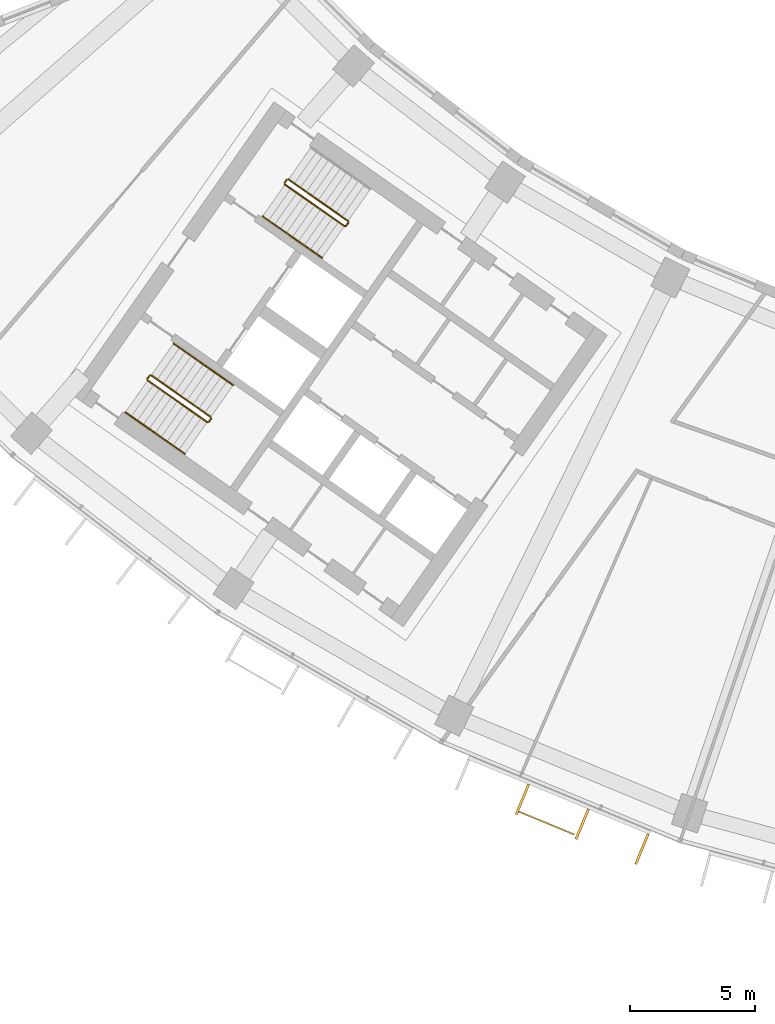
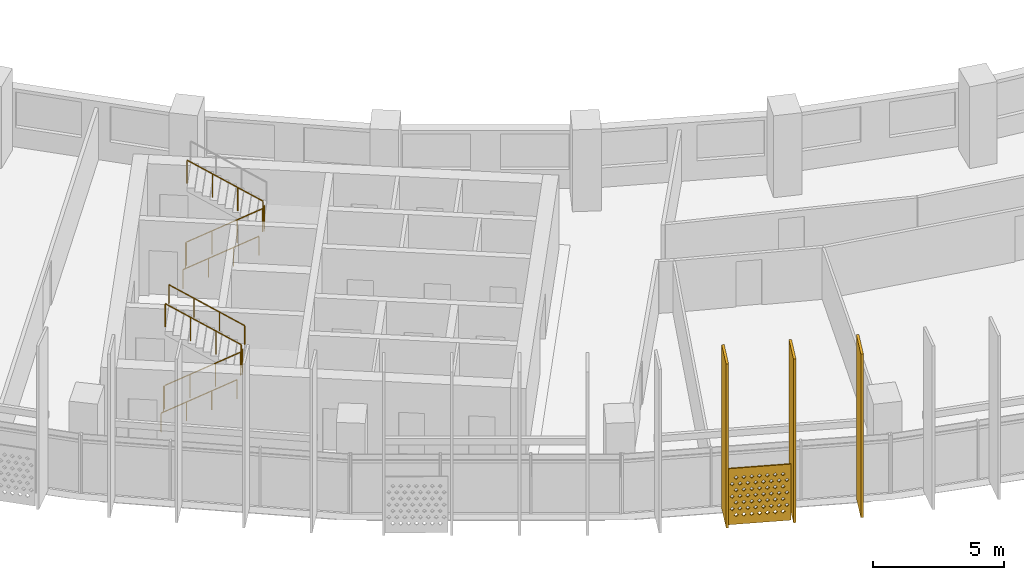
# One storey, part 22 of 27: 9 railings, 4 shading devices.
"""IFC4 building model written with IfcOpenShell, lengths in metres."""

import ifcopenshell
import ifcopenshell.guid

model = None  # the IFC model being written
_history = None  # IfcOwnerHistory: only IFC2X3 demands one
_inside = {}  # id of a spatial element -> (the spatial element, [elements in it])
_under = {}  # id of a project, library or spatial element -> (it, [spatial elements below it])
_declared = {}  # id of a project -> (the project, [libraries it declares])
_typed = {}  # id of a type object -> (the type object, [elements of that type])
_made_of = {}  # id of a material, layer set ... -> (it, [elements and type objects made of it])


def new_model(schema):
    """Start an empty IFC model of exactly this schema.

    Asked for "IFC4X3", IfcOpenShell would pick the latest addendum, in which some entities
    have other attributes; the version numbers below select the first issue.
    IFC2X3 requires an IfcOwnerHistory on every rooted entity: one is made here for all.
    """
    global model, _history
    if schema == "IFC4X3":
        model = ifcopenshell.file(schema_version=(4, 3, 0, 0))
    else:
        model = ifcopenshell.file(schema=schema)
    _inside.clear()
    _under.clear()
    _declared.clear()
    _typed.clear()
    _made_of.clear()
    _history = None
    if model.schema == "IFC2X3":
        org = make("IfcOrganization", Name="unknown")
        user = make(
            "IfcPersonAndOrganization",
            ThePerson=make("IfcPerson", FamilyName="unknown"),
            TheOrganization=org,
        )
        app = make(
            "IfcApplication",
            ApplicationDeveloper=org,
            Version="unknown",
            ApplicationFullName="unknown",
            ApplicationIdentifier="unknown",
        )
        _history = make(
            "IfcOwnerHistory",
            OwningUser=user,
            OwningApplication=app,
            ChangeAction="ADDED",
            CreationDate=0,
        )
    return model


def make(cls, **values):
    """One entity of the class cls with the attributes given. An attribute that is None is left unset."""
    return model.create_entity(
        cls, **{name: value for name, value in values.items() if value is not None}
    )


def rooted(cls, **values):
    """An entity with a GlobalId (a new one), such as an element, a storey or a relation."""
    return make(cls, GlobalId=ifcopenshell.guid.new(), OwnerHistory=_history, **values)


def si_unit(unit_type, name, prefix=None):
    """IfcSIUnit, for example si_unit("LENGTHUNIT", "METRE", prefix="MILLI")."""
    return make("IfcSIUnit", UnitType=unit_type, Prefix=prefix, Name=name)


def assignment(units):
    """IfcUnitAssignment: the units of a project."""
    return None if units is None else make("IfcUnitAssignment", Units=units)


def point(xyz):
    """IfcCartesianPoint."""
    return None if xyz is None else make("IfcCartesianPoint", Coordinates=xyz)


def direction(xyz):
    """IfcDirection."""
    return None if xyz is None else make("IfcDirection", DirectionRatios=xyz)


def frame(location, z_axis=None, x_axis=None):
    """IfcAxis2Placement3D, a coordinate frame: its origin and axes. An axis left out is left unset."""
    return make(
        "IfcAxis2Placement3D",
        Location=point(location),
        Axis=direction(z_axis),
        RefDirection=direction(x_axis),
    )


def frame_2d(location, x_axis=None):
    """IfcAxis2Placement2D, a coordinate frame in the plane: its origin and x axis."""
    return make(
        "IfcAxis2Placement2D", Location=point(location), RefDirection=direction(x_axis)
    )


def origin():
    """The frame at (0, 0, 0) with its axes left unset."""
    return frame((0.0, 0.0, 0.0))


def origin_2d():
    """The frame at (0, 0) in the plane with its x axis left unset."""
    return frame_2d((0.0, 0.0))


def place(relative_to, where):
    """IfcLocalPlacement: puts the frame where relative to a parent placement (None: the world)."""
    return make(
        "IfcLocalPlacement", PlacementRelTo=relative_to, RelativePlacement=where
    )


def context(
    kind, dimensions, precision=None, world=None, true_north=None, identifier=None
):
    """IfcGeometricRepresentationContext, for example the 3D "Model" context."""
    return make(
        "IfcGeometricRepresentationContext",
        ContextIdentifier=identifier,
        ContextType=kind,
        CoordinateSpaceDimension=dimensions,
        Precision=precision,
        WorldCoordinateSystem=world,
        TrueNorth=true_north,
    )


def subcontext(parent, identifier, kind, view, scale=None):
    """IfcGeometricRepresentationSubContext, for example "Body" below "Model"."""
    return make(
        "IfcGeometricRepresentationSubContext",
        ContextIdentifier=identifier,
        ContextType=kind,
        ParentContext=parent,
        TargetScale=scale,
        TargetView=view,
    )


def project(units=None, contexts=None):
    """IfcProject with its units and contexts."""
    return rooted(
        "IfcProject",
        Name="project",
        RepresentationContexts=contexts,
        UnitsInContext=assignment(units),
    )


def spatial(cls, under=None, at=None, **own):
    """A site, building, storey or space (cls), placed at a placement, below another one or the project."""
    s = rooted(cls, ObjectPlacement=at, **own)
    if under is not None:
        _under.setdefault(under.id(), (under, []))[1].append(s)
    return s


def polyline(points):
    """IfcPolyline through the points."""
    return make("IfcPolyline", Points=[point(p) for p in points])


def profile(cls, at=None, kind="AREA", **sizes):
    """A parametric profile (cls). Its sizes go by their IFC names, for example OverallWidth=200.0."""
    return make(cls, ProfileType=kind, Position=at, **sizes)


def rectangle(**sizes):
    """IfcRectangleProfileDef."""
    return profile("IfcRectangleProfileDef", **sizes)


def circle(**sizes):
    """IfcCircleProfileDef."""
    return profile("IfcCircleProfileDef", **sizes)


def outline(outer, holes=None, kind="AREA"):
    """IfcArbitraryClosedProfileDef: a profile drawn as a closed curve; with holes, ...WithVoids."""
    if holes is None:
        return make("IfcArbitraryClosedProfileDef", ProfileType=kind, OuterCurve=outer)
    return make(
        "IfcArbitraryProfileDefWithVoids",
        ProfileType=kind,
        OuterCurve=outer,
        InnerCurves=holes,
    )


def extrude(swept, where, along, depth):
    """IfcExtrudedAreaSolid: the profile swept, set in the frame where, extruded along a direction by depth."""
    return make(
        "IfcExtrudedAreaSolid",
        SweptArea=swept,
        Position=where,
        ExtrudedDirection=direction(along),
        Depth=depth,
    )


def shape(context_of_items, identifier, shape_type, items):
    """IfcShapeRepresentation: the items that make up one representation, for example the "Body"."""
    return make(
        "IfcShapeRepresentation",
        ContextOfItems=context_of_items,
        RepresentationIdentifier=identifier,
        RepresentationType=shape_type,
        Items=items,
    )


def material(Name=None, Category=None):
    """IfcMaterial."""
    return make("IfcMaterial", Name=Name, Category=Category)


def material_profile(
    of_material, cross_section, Name=None, Category=None, Priority=None
):
    """IfcMaterialProfile: a cross section and its material."""
    return make(
        "IfcMaterialProfile",
        Name=Name,
        Material=of_material,
        Profile=cross_section,
        Priority=Priority,
        Category=Category,
    )


def profile_set(profiles, Name=None, composite=None):
    """IfcMaterialProfileSet."""
    return make(
        "IfcMaterialProfileSet",
        Name=Name,
        MaterialProfiles=profiles,
        CompositeProfile=composite,
    )


def made_of(thing, what):
    """Note that an element or type object is made of a material, layer set ...; save() writes the relation."""
    if what is not None:
        _made_of.setdefault(what.id(), (what, []))[1].append(thing)
    return thing


def type_object(cls, material=None, **own):
    """A type object (cls), such as IfcWallType, which elements share."""
    return made_of(rooted(cls, **own), material)


def element(
    cls,
    number,
    at=None,
    inside=None,
    cuts=None,
    type_object=None,
    material=None,
    context=None,
    identifier="Body",
    shape_type=None,
    held_by="IfcProductDefinitionShape",
    body=None,
    shapes=None,
    **own,
):
    """One element of the class cls, such as IfcWall. Its Tag is "e" and its number.

    at: its placement. inside: the storey or other place that contains it. cuts: it is an
    opening in that element (IfcRelVoidsElement). A single representation is given by context,
    identifier, shape_type and body (its items); several are given by shapes. held_by: the class
    of the entity that holds the representations. save() writes the other relations.
    """
    e = rooted(cls, Tag="e%d" % number, ObjectPlacement=at, **own)
    if body is not None:
        shapes = [shape(context, identifier, shape_type, body)]
    if shapes is not None:
        e.Representation = make(held_by, Representations=shapes)
    if inside is not None:
        _inside.setdefault(inside.id(), (inside, []))[1].append(e)
    if cuts is not None:
        rooted(
            "IfcRelVoidsElement", RelatingBuildingElement=cuts, RelatedOpeningElement=e
        )
    if type_object is not None:
        _typed.setdefault(type_object.id(), (type_object, []))[1].append(e)
    return made_of(e, material)


def aggregate(whole, parts):
    """IfcRelAggregates: a whole, such as a stair, and the parts it consists of."""
    return rooted("IfcRelAggregates", RelatingObject=whole, RelatedObjects=parts)


def save(model, path):
    """Write the relations noted so far, then the file.

    IfcRelAggregates (storeys below a building ...), IfcRelContainedInSpatialStructure (elements
    in a storey), IfcRelDefinesByType, IfcRelAssociatesMaterial and IfcRelDeclares: one each for
    every whole, place, type object, material and project.
    """
    for whole, parts in _under.values():
        aggregate(whole, parts)
    for where, things in _inside.values():
        rooted(
            "IfcRelContainedInSpatialStructure",
            RelatedElements=things,
            RelatingStructure=where,
        )
    for kind, things in _typed.values():
        rooted("IfcRelDefinesByType", RelatedObjects=things, RelatingType=kind)
    for what, things in _made_of.values():
        rooted("IfcRelAssociatesMaterial", RelatedObjects=things, RelatingMaterial=what)
    for by, libraries in _declared.values():
        rooted("IfcRelDeclares", RelatingContext=by, RelatedDefinitions=libraries)
    model.write(path)


model = new_model("IFC4")

# Units and contexts
model_context = context("Model", 3, precision=1e-05, world=origin(), true_north=direction((0.0, 1.0)))
body_context = subcontext(model_context, "Body", "Model", "MODEL_VIEW")
ifc_project = project(units=[si_unit("LENGTHUNIT", "METRE"), si_unit("AREAUNIT", "SQUARE_METRE"), si_unit("VOLUMEUNIT", "CUBIC_METRE"), si_unit("PLANEANGLEUNIT", "RADIAN"), si_unit("MASSUNIT", "GRAM", prefix="KILO")], contexts=[model_context])

# Site, building, storey
site_placement = place(None, origin())
site = spatial("IfcSite", under=ifc_project, at=site_placement, CompositionType="ELEMENT")
building_placement = place(site_placement, origin())
building = spatial("IfcBuilding", under=site, at=building_placement, Name="Qamariyya Broadcast Tower", CompositionType="ELEMENT")
storey_placement = place(building_placement, frame((0.0, 0.0, 172.10009765625)))
storey = spatial("IfcBuildingStorey", under=building, at=storey_placement, Name="L40", CompositionType="ELEMENT", Elevation=172.10009765625)

# Shading device
ifc_material_1 = material(Name="Perforated glazed terracotta", Category="masonry")
ifc_material_profile_1 = material_profile(ifc_material_1, outline(polyline([(-1.199951171875, -1.300048828125), (1.199951171875, -1.300048828125), (1.199951171875, 1.300048828125), (-1.199951171875, 1.300048828125), (-1.199951171875, -1.300048828125)]), holes=[polyline([(-0.81494140625, -0.86669921875), (-0.89990234375, -0.78173828125), (-0.985107421875, -0.86669921875), (-0.89990234375, -0.95166015625), (-0.81494140625, -0.86669921875)]), polyline([(-0.514892578125, -0.86669921875), (-0.60009765625, -0.78173828125), (-0.68505859375, -0.86669921875), (-0.60009765625, -0.95166015625), (-0.514892578125, -0.86669921875)]), polyline([(-0.215087890625, -0.86669921875), (-0.300048828125, -0.78173828125), (-0.385009765625, -0.86669921875), (-0.300048828125, -0.95166015625), (-0.215087890625, -0.86669921875)]), polyline([(0.0849609375, -0.86669921875), (0.0, -0.78173828125), (-0.0849609375, -0.86669921875), (0.0, -0.95166015625), (0.0849609375, -0.86669921875)]), polyline([(0.385009765625, -0.86669921875), (0.300048828125, -0.78173828125), (0.215087890625, -0.86669921875), (0.300048828125, -0.95166015625), (0.385009765625, -0.86669921875)]), polyline([(0.68505859375, -0.86669921875), (0.60009765625, -0.78173828125), (0.514892578125, -0.86669921875), (0.60009765625, -0.95166015625), (0.68505859375, -0.86669921875)]), polyline([(0.985107421875, -0.86669921875), (0.89990234375, -0.78173828125), (0.81494140625, -0.86669921875), (0.89990234375, -0.95166015625), (0.985107421875, -0.86669921875)]), polyline([(-0.965087890625, -0.577880859375), (-1.050048828125, -0.49267578125), (-1.135009765625, -0.577880859375), (-1.050048828125, -0.662841796875), (-0.965087890625, -0.577880859375)]), polyline([(-0.6650390625, -0.577880859375), (-0.75, -0.49267578125), (-0.8349609375, -0.577880859375), (-0.75, -0.662841796875), (-0.6650390625, -0.577880859375)]), polyline([(-0.364990234375, -0.577880859375), (-0.449951171875, -0.49267578125), (-0.534912109375, -0.577880859375), (-0.449951171875, -0.662841796875), (-0.364990234375, -0.577880859375)]), polyline([(-0.06494140625, -0.577880859375), (-0.14990234375, -0.49267578125), (-0.235107421875, -0.577880859375), (-0.14990234375, -0.662841796875), (-0.06494140625, -0.577880859375)]), polyline([(0.235107421875, -0.577880859375), (0.14990234375, -0.49267578125), (0.06494140625, -0.577880859375), (0.14990234375, -0.662841796875), (0.235107421875, -0.577880859375)]), polyline([(0.534912109375, -0.577880859375), (0.449951171875, -0.49267578125), (0.364990234375, -0.577880859375), (0.449951171875, -0.662841796875), (0.534912109375, -0.577880859375)]), polyline([(0.8349609375, -0.577880859375), (0.75, -0.49267578125), (0.6650390625, -0.577880859375), (0.75, -0.662841796875), (0.8349609375, -0.577880859375)]), polyline([(1.135009765625, -0.577880859375), (1.050048828125, -0.49267578125), (0.965087890625, -0.577880859375), (1.050048828125, -0.662841796875), (1.135009765625, -0.577880859375)]), polyline([(-0.81494140625, -0.288818359375), (-0.89990234375, -0.203857421875), (-0.985107421875, -0.288818359375), (-0.89990234375, -0.373779296875), (-0.81494140625, -0.288818359375)]), polyline([(-0.514892578125, -0.288818359375), (-0.60009765625, -0.203857421875), (-0.68505859375, -0.288818359375), (-0.60009765625, -0.373779296875), (-0.514892578125, -0.288818359375)]), polyline([(-0.215087890625, -0.288818359375), (-0.300048828125, -0.203857421875), (-0.385009765625, -0.288818359375), (-0.300048828125, -0.373779296875), (-0.215087890625, -0.288818359375)]), polyline([(0.0849609375, -0.288818359375), (0.0, -0.203857421875), (-0.0849609375, -0.288818359375), (0.0, -0.373779296875), (0.0849609375, -0.288818359375)]), polyline([(0.385009765625, -0.288818359375), (0.300048828125, -0.203857421875), (0.215087890625, -0.288818359375), (0.300048828125, -0.373779296875), (0.385009765625, -0.288818359375)]), polyline([(0.68505859375, -0.288818359375), (0.60009765625, -0.203857421875), (0.514892578125, -0.288818359375), (0.60009765625, -0.373779296875), (0.68505859375, -0.288818359375)]), polyline([(0.985107421875, -0.288818359375), (0.89990234375, -0.203857421875), (0.81494140625, -0.288818359375), (0.89990234375, -0.373779296875), (0.985107421875, -0.288818359375)]), polyline([(-0.965087890625, 0.0), (-1.050048828125, 0.0849609375), (-1.135009765625, 0.0), (-1.050048828125, -0.0849609375), (-0.965087890625, 0.0)]), polyline([(-0.6650390625, 0.0), (-0.75, 0.0849609375), (-0.8349609375, 0.0), (-0.75, -0.0849609375), (-0.6650390625, 0.0)]), polyline([(-0.364990234375, 0.0), (-0.449951171875, 0.0849609375), (-0.534912109375, 0.0), (-0.449951171875, -0.0849609375), (-0.364990234375, 0.0)]), polyline([(-0.06494140625, 0.0), (-0.14990234375, 0.0849609375), (-0.235107421875, 0.0), (-0.14990234375, -0.0849609375), (-0.06494140625, 0.0)]), polyline([(0.235107421875, 0.0), (0.14990234375, 0.0849609375), (0.06494140625, 0.0), (0.14990234375, -0.0849609375), (0.235107421875, 0.0)]), polyline([(0.534912109375, 0.0), (0.449951171875, 0.0849609375), (0.364990234375, 0.0), (0.449951171875, -0.0849609375), (0.534912109375, 0.0)]), polyline([(0.8349609375, 0.0), (0.75, 0.0849609375), (0.6650390625, 0.0), (0.75, -0.0849609375), (0.8349609375, 0.0)]), polyline([(1.135009765625, 0.0), (1.050048828125, 0.0849609375), (0.965087890625, 0.0), (1.050048828125, -0.0849609375), (1.135009765625, 0.0)]), polyline([(-0.81494140625, 0.288818359375), (-0.89990234375, 0.373779296875), (-0.985107421875, 0.288818359375), (-0.89990234375, 0.203857421875), (-0.81494140625, 0.288818359375)]), polyline([(-0.514892578125, 0.288818359375), (-0.60009765625, 0.373779296875), (-0.68505859375, 0.288818359375), (-0.60009765625, 0.203857421875), (-0.514892578125, 0.288818359375)]), polyline([(-0.215087890625, 0.288818359375), (-0.300048828125, 0.373779296875), (-0.385009765625, 0.288818359375), (-0.300048828125, 0.203857421875), (-0.215087890625, 0.288818359375)]), polyline([(0.0849609375, 0.288818359375), (0.0, 0.373779296875), (-0.0849609375, 0.288818359375), (0.0, 0.203857421875), (0.0849609375, 0.288818359375)]), polyline([(0.385009765625, 0.288818359375), (0.300048828125, 0.373779296875), (0.215087890625, 0.288818359375), (0.300048828125, 0.203857421875), (0.385009765625, 0.288818359375)]), polyline([(0.68505859375, 0.288818359375), (0.60009765625, 0.373779296875), (0.514892578125, 0.288818359375), (0.60009765625, 0.203857421875), (0.68505859375, 0.288818359375)]), polyline([(0.985107421875, 0.288818359375), (0.89990234375, 0.373779296875), (0.81494140625, 0.288818359375), (0.89990234375, 0.203857421875), (0.985107421875, 0.288818359375)]), polyline([(-0.965087890625, 0.577880859375), (-1.050048828125, 0.662841796875), (-1.135009765625, 0.577880859375), (-1.050048828125, 0.49267578125), (-0.965087890625, 0.577880859375)]), polyline([(-0.6650390625, 0.577880859375), (-0.75, 0.662841796875), (-0.8349609375, 0.577880859375), (-0.75, 0.49267578125), (-0.6650390625, 0.577880859375)]), polyline([(-0.364990234375, 0.577880859375), (-0.449951171875, 0.662841796875), (-0.534912109375, 0.577880859375), (-0.449951171875, 0.49267578125), (-0.364990234375, 0.577880859375)]), polyline([(-0.06494140625, 0.577880859375), (-0.14990234375, 0.662841796875), (-0.235107421875, 0.577880859375), (-0.14990234375, 0.49267578125), (-0.06494140625, 0.577880859375)]), polyline([(0.235107421875, 0.577880859375), (0.14990234375, 0.662841796875), (0.06494140625, 0.577880859375), (0.14990234375, 0.49267578125), (0.235107421875, 0.577880859375)]), polyline([(0.534912109375, 0.577880859375), (0.449951171875, 0.662841796875), (0.364990234375, 0.577880859375), (0.449951171875, 0.49267578125), (0.534912109375, 0.577880859375)]), polyline([(0.8349609375, 0.577880859375), (0.75, 0.662841796875), (0.6650390625, 0.577880859375), (0.75, 0.49267578125), (0.8349609375, 0.577880859375)]), polyline([(1.135009765625, 0.577880859375), (1.050048828125, 0.662841796875), (0.965087890625, 0.577880859375), (1.050048828125, 0.49267578125), (1.135009765625, 0.577880859375)]), polyline([(-0.81494140625, 0.86669921875), (-0.89990234375, 0.95166015625), (-0.985107421875, 0.86669921875), (-0.89990234375, 0.78173828125), (-0.81494140625, 0.86669921875)]), polyline([(-0.514892578125, 0.86669921875), (-0.60009765625, 0.95166015625), (-0.68505859375, 0.86669921875), (-0.60009765625, 0.78173828125), (-0.514892578125, 0.86669921875)]), polyline([(-0.215087890625, 0.86669921875), (-0.300048828125, 0.95166015625), (-0.385009765625, 0.86669921875), (-0.300048828125, 0.78173828125), (-0.215087890625, 0.86669921875)]), polyline([(0.0849609375, 0.86669921875), (0.0, 0.95166015625), (-0.0849609375, 0.86669921875), (0.0, 0.78173828125), (0.0849609375, 0.86669921875)]), polyline([(0.385009765625, 0.86669921875), (0.300048828125, 0.95166015625), (0.215087890625, 0.86669921875), (0.300048828125, 0.78173828125), (0.385009765625, 0.86669921875)]), polyline([(0.68505859375, 0.86669921875), (0.60009765625, 0.95166015625), (0.514892578125, 0.86669921875), (0.60009765625, 0.78173828125), (0.68505859375, 0.86669921875)]), polyline([(0.985107421875, 0.86669921875), (0.89990234375, 0.95166015625), (0.81494140625, 0.86669921875), (0.89990234375, 0.78173828125), (0.985107421875, 0.86669921875)])]))
ifc_profile_set_1 = profile_set([ifc_material_profile_1], Name="Perforated glazed terracotta")
shading_device_type_1 = type_object("IfcShadingDeviceType", Name="Perforated terracotta screen 2400 x 2600", PredefinedType="USERDEFINED", material=ifc_profile_set_1)
shading_device_placement = place(storey_placement, frame((-30.69189453125, -73.987548828125, 1.349853515625), z_axis=(-0.382591441855, -0.923917630863, 0.0), x_axis=(0.923917630863, -0.382591441855, 0.0)))
element("IfcShadingDevice", 1, at=shading_device_placement, inside=storey, type_object=shading_device_type_1, Name="e-scr-L40-04-1", ObjectType="SCREEN", PredefinedType="USERDEFINED", context=body_context, shape_type="SweptSolid", body=[
    extrude(outline(polyline([(-1.199951171875, -1.300048828125), (1.199951171875, -1.300048828125), (1.199951171875, 1.300048828125), (-1.199951171875, 1.300048828125), (-1.199951171875, -1.300048828125)]), holes=[polyline([(-0.81494140625, -0.86669921875), (-0.89990234375, -0.78173828125), (-0.985107421875, -0.86669921875), (-0.89990234375, -0.95166015625), (-0.81494140625, -0.86669921875)]), polyline([(-0.514892578125, -0.86669921875), (-0.60009765625, -0.78173828125), (-0.68505859375, -0.86669921875), (-0.60009765625, -0.95166015625), (-0.514892578125, -0.86669921875)]), polyline([(-0.215087890625, -0.86669921875), (-0.300048828125, -0.78173828125), (-0.385009765625, -0.86669921875), (-0.300048828125, -0.95166015625), (-0.215087890625, -0.86669921875)]), polyline([(0.0849609375, -0.86669921875), (0.0, -0.78173828125), (-0.0849609375, -0.86669921875), (0.0, -0.95166015625), (0.0849609375, -0.86669921875)]), polyline([(0.385009765625, -0.86669921875), (0.300048828125, -0.78173828125), (0.215087890625, -0.86669921875), (0.300048828125, -0.95166015625), (0.385009765625, -0.86669921875)]), polyline([(0.68505859375, -0.86669921875), (0.60009765625, -0.78173828125), (0.514892578125, -0.86669921875), (0.60009765625, -0.95166015625), (0.68505859375, -0.86669921875)]), polyline([(0.985107421875, -0.86669921875), (0.89990234375, -0.78173828125), (0.81494140625, -0.86669921875), (0.89990234375, -0.95166015625), (0.985107421875, -0.86669921875)]), polyline([(-0.965087890625, -0.577880859375), (-1.050048828125, -0.49267578125), (-1.135009765625, -0.577880859375), (-1.050048828125, -0.662841796875), (-0.965087890625, -0.577880859375)]), polyline([(-0.6650390625, -0.577880859375), (-0.75, -0.49267578125), (-0.8349609375, -0.577880859375), (-0.75, -0.662841796875), (-0.6650390625, -0.577880859375)]), polyline([(-0.364990234375, -0.577880859375), (-0.449951171875, -0.49267578125), (-0.534912109375, -0.577880859375), (-0.449951171875, -0.662841796875), (-0.364990234375, -0.577880859375)]), polyline([(-0.06494140625, -0.577880859375), (-0.14990234375, -0.49267578125), (-0.235107421875, -0.577880859375), (-0.14990234375, -0.662841796875), (-0.06494140625, -0.577880859375)]), polyline([(0.235107421875, -0.577880859375), (0.14990234375, -0.49267578125), (0.06494140625, -0.577880859375), (0.14990234375, -0.662841796875), (0.235107421875, -0.577880859375)]), polyline([(0.534912109375, -0.577880859375), (0.449951171875, -0.49267578125), (0.364990234375, -0.577880859375), (0.449951171875, -0.662841796875), (0.534912109375, -0.577880859375)]), polyline([(0.8349609375, -0.577880859375), (0.75, -0.49267578125), (0.6650390625, -0.577880859375), (0.75, -0.662841796875), (0.8349609375, -0.577880859375)]), polyline([(1.135009765625, -0.577880859375), (1.050048828125, -0.49267578125), (0.965087890625, -0.577880859375), (1.050048828125, -0.662841796875), (1.135009765625, -0.577880859375)]), polyline([(-0.81494140625, -0.288818359375), (-0.89990234375, -0.203857421875), (-0.985107421875, -0.288818359375), (-0.89990234375, -0.373779296875), (-0.81494140625, -0.288818359375)]), polyline([(-0.514892578125, -0.288818359375), (-0.60009765625, -0.203857421875), (-0.68505859375, -0.288818359375), (-0.60009765625, -0.373779296875), (-0.514892578125, -0.288818359375)]), polyline([(-0.215087890625, -0.288818359375), (-0.300048828125, -0.203857421875), (-0.385009765625, -0.288818359375), (-0.300048828125, -0.373779296875), (-0.215087890625, -0.288818359375)]), polyline([(0.0849609375, -0.288818359375), (0.0, -0.203857421875), (-0.0849609375, -0.288818359375), (0.0, -0.373779296875), (0.0849609375, -0.288818359375)]), polyline([(0.385009765625, -0.288818359375), (0.300048828125, -0.203857421875), (0.215087890625, -0.288818359375), (0.300048828125, -0.373779296875), (0.385009765625, -0.288818359375)]), polyline([(0.68505859375, -0.288818359375), (0.60009765625, -0.203857421875), (0.514892578125, -0.288818359375), (0.60009765625, -0.373779296875), (0.68505859375, -0.288818359375)]), polyline([(0.985107421875, -0.288818359375), (0.89990234375, -0.203857421875), (0.81494140625, -0.288818359375), (0.89990234375, -0.373779296875), (0.985107421875, -0.288818359375)]), polyline([(-0.965087890625, 0.0), (-1.050048828125, 0.0849609375), (-1.135009765625, 0.0), (-1.050048828125, -0.0849609375), (-0.965087890625, 0.0)]), polyline([(-0.6650390625, 0.0), (-0.75, 0.0849609375), (-0.8349609375, 0.0), (-0.75, -0.0849609375), (-0.6650390625, 0.0)]), polyline([(-0.364990234375, 0.0), (-0.449951171875, 0.0849609375), (-0.534912109375, 0.0), (-0.449951171875, -0.0849609375), (-0.364990234375, 0.0)]), polyline([(-0.06494140625, 0.0), (-0.14990234375, 0.0849609375), (-0.235107421875, 0.0), (-0.14990234375, -0.0849609375), (-0.06494140625, 0.0)]), polyline([(0.235107421875, 0.0), (0.14990234375, 0.0849609375), (0.06494140625, 0.0), (0.14990234375, -0.0849609375), (0.235107421875, 0.0)]), polyline([(0.534912109375, 0.0), (0.449951171875, 0.0849609375), (0.364990234375, 0.0), (0.449951171875, -0.0849609375), (0.534912109375, 0.0)]), polyline([(0.8349609375, 0.0), (0.75, 0.0849609375), (0.6650390625, 0.0), (0.75, -0.0849609375), (0.8349609375, 0.0)]), polyline([(1.135009765625, 0.0), (1.050048828125, 0.0849609375), (0.965087890625, 0.0), (1.050048828125, -0.0849609375), (1.135009765625, 0.0)]), polyline([(-0.81494140625, 0.288818359375), (-0.89990234375, 0.373779296875), (-0.985107421875, 0.288818359375), (-0.89990234375, 0.203857421875), (-0.81494140625, 0.288818359375)]), polyline([(-0.514892578125, 0.288818359375), (-0.60009765625, 0.373779296875), (-0.68505859375, 0.288818359375), (-0.60009765625, 0.203857421875), (-0.514892578125, 0.288818359375)]), polyline([(-0.215087890625, 0.288818359375), (-0.300048828125, 0.373779296875), (-0.385009765625, 0.288818359375), (-0.300048828125, 0.203857421875), (-0.215087890625, 0.288818359375)]), polyline([(0.0849609375, 0.288818359375), (0.0, 0.373779296875), (-0.0849609375, 0.288818359375), (0.0, 0.203857421875), (0.0849609375, 0.288818359375)]), polyline([(0.385009765625, 0.288818359375), (0.300048828125, 0.373779296875), (0.215087890625, 0.288818359375), (0.300048828125, 0.203857421875), (0.385009765625, 0.288818359375)]), polyline([(0.68505859375, 0.288818359375), (0.60009765625, 0.373779296875), (0.514892578125, 0.288818359375), (0.60009765625, 0.203857421875), (0.68505859375, 0.288818359375)]), polyline([(0.985107421875, 0.288818359375), (0.89990234375, 0.373779296875), (0.81494140625, 0.288818359375), (0.89990234375, 0.203857421875), (0.985107421875, 0.288818359375)]), polyline([(-0.965087890625, 0.577880859375), (-1.050048828125, 0.662841796875), (-1.135009765625, 0.577880859375), (-1.050048828125, 0.49267578125), (-0.965087890625, 0.577880859375)]), polyline([(-0.6650390625, 0.577880859375), (-0.75, 0.662841796875), (-0.8349609375, 0.577880859375), (-0.75, 0.49267578125), (-0.6650390625, 0.577880859375)]), polyline([(-0.364990234375, 0.577880859375), (-0.449951171875, 0.662841796875), (-0.534912109375, 0.577880859375), (-0.449951171875, 0.49267578125), (-0.364990234375, 0.577880859375)]), polyline([(-0.06494140625, 0.577880859375), (-0.14990234375, 0.662841796875), (-0.235107421875, 0.577880859375), (-0.14990234375, 0.49267578125), (-0.06494140625, 0.577880859375)]), polyline([(0.235107421875, 0.577880859375), (0.14990234375, 0.662841796875), (0.06494140625, 0.577880859375), (0.14990234375, 0.49267578125), (0.235107421875, 0.577880859375)]), polyline([(0.534912109375, 0.577880859375), (0.449951171875, 0.662841796875), (0.364990234375, 0.577880859375), (0.449951171875, 0.49267578125), (0.534912109375, 0.577880859375)]), polyline([(0.8349609375, 0.577880859375), (0.75, 0.662841796875), (0.6650390625, 0.577880859375), (0.75, 0.49267578125), (0.8349609375, 0.577880859375)]), polyline([(1.135009765625, 0.577880859375), (1.050048828125, 0.662841796875), (0.965087890625, 0.577880859375), (1.050048828125, 0.49267578125), (1.135009765625, 0.577880859375)]), polyline([(-0.81494140625, 0.86669921875), (-0.89990234375, 0.95166015625), (-0.985107421875, 0.86669921875), (-0.89990234375, 0.78173828125), (-0.81494140625, 0.86669921875)]), polyline([(-0.514892578125, 0.86669921875), (-0.60009765625, 0.95166015625), (-0.68505859375, 0.86669921875), (-0.60009765625, 0.78173828125), (-0.514892578125, 0.86669921875)]), polyline([(-0.215087890625, 0.86669921875), (-0.300048828125, 0.95166015625), (-0.385009765625, 0.86669921875), (-0.300048828125, 0.78173828125), (-0.215087890625, 0.86669921875)]), polyline([(0.0849609375, 0.86669921875), (0.0, 0.95166015625), (-0.0849609375, 0.86669921875), (0.0, 0.78173828125), (0.0849609375, 0.86669921875)]), polyline([(0.385009765625, 0.86669921875), (0.300048828125, 0.95166015625), (0.215087890625, 0.86669921875), (0.300048828125, 0.78173828125), (0.385009765625, 0.86669921875)]), polyline([(0.68505859375, 0.86669921875), (0.60009765625, 0.95166015625), (0.514892578125, 0.86669921875), (0.60009765625, 0.78173828125), (0.68505859375, 0.86669921875)]), polyline([(0.985107421875, 0.86669921875), (0.89990234375, 0.95166015625), (0.81494140625, 0.86669921875), (0.89990234375, 0.78173828125), (0.985107421875, 0.86669921875)])]), origin(), (0.0, 0.0, 1.0), 0.06005859375),
])

# Railings
ifc_material_2 = material(Name="Painted steel", Category="steel")
railing_type_1 = type_object("IfcRailingType", Name="Stair guard", PredefinedType="GUARDRAIL", material=ifc_material_2)
railing_1_placement = place(storey_placement, frame((-41.146728515625, -48.52490234375, 0.172607421875)))
element("IfcRailing", 2, at=railing_1_placement, inside=storey, type_object=railing_type_1, Name="L40 ST-W2 stair guard 1", PredefinedType="GUARDRAIL", context=body_context, shape_type="SweptSolid", body=[
    extrude(circle(Radius=0.02392578125, at=origin_2d()), frame((0.0, 0.0, 1.076171875), z_axis=(0.703770094002, -0.492783725636, 0.511734163933), x_axis=(0.573575343427, 0.819152809562, 0.0)), (0.0, 0.0, 1.0), 3.37548828125),
    extrude(circle(Radius=0.02392578125, at=origin_2d()), frame((2.37548828125, -1.663330078125, 2.80322265625), z_axis=(0.985059694769, 0.172213233351, 0.0), x_axis=(-0.172213233351, 0.985059694769, 0.0)), (0.0, 0.0, 1.0), 0.07080078125),
    extrude(circle(Radius=0.02392578125, at=origin_2d()), frame((2.4453125, -1.651123046875, 2.80322265625), z_axis=(0.572588637393, 0.819842821722, 0.0), x_axis=(-0.819842821722, 0.572588637393, 0.0)), (0.0, 0.0, 1.0), 0.150146484375),
    extrude(circle(Radius=0.02099609375, at=origin_2d()), origin(), (0.0, 0.0, 1.0), 1.052001953125),
    extrude(circle(Radius=0.02099609375, at=origin_2d()), frame((0.791748046875, -0.554443359375, 0.57568359375)), (0.0, 0.0, 1.0), 1.052001953125),
    extrude(circle(Radius=0.02099609375, at=origin_2d()), frame((1.583740234375, -1.10888671875, 1.151611328125)), (0.0, 0.0, 1.0), 1.052001953125),
    extrude(circle(Radius=0.02099609375, at=origin_2d()), frame((2.37548828125, -1.663330078125, 1.727294921875)), (0.0, 0.0, 1.0), 1.052001953125),
    extrude(circle(Radius=0.02099609375, at=origin_2d()), frame((2.4453125, -1.651123046875, 1.727294921875)), (0.0, 0.0, 1.0), 1.052001953125),
    extrude(circle(Radius=0.02099609375, at=origin_2d()), frame((2.53125, -1.528076171875, 1.727294921875)), (0.0, 0.0, 1.0), 1.052001953125),
])
railing_2_placement = place(storey_placement, frame((-38.627685546875, -49.9833984375, 2.072509765625)))
element("IfcRailing", 3, at=railing_2_placement, inside=storey, type_object=railing_type_1, Name="L40 ST-W2 stair guard 2", PredefinedType="GUARDRAIL", context=body_context, shape_type="SweptSolid", body=[
    extrude(circle(Radius=0.02392578125, at=origin_2d()), frame((0.0, 0.0, 1.076171875), z_axis=(-0.703770094002, 0.492783725636, 0.511734163933), x_axis=(-0.573575343427, -0.819152809562, 0.0)), (0.0, 0.0, 1.0), 3.37548828125),
    extrude(circle(Radius=0.02099609375, at=origin_2d()), origin(), (0.0, 0.0, 1.0), 1.052001953125),
    extrude(circle(Radius=0.02099609375, at=origin_2d()), frame((-0.791748046875, 0.554443359375, 0.57568359375)), (0.0, 0.0, 1.0), 1.052001953125),
    extrude(circle(Radius=0.02099609375, at=origin_2d()), frame((-1.583740234375, 1.10888671875, 1.151611328125)), (0.0, 0.0, 1.0), 1.052001953125),
    extrude(circle(Radius=0.02099609375, at=origin_2d()), frame((-2.37548828125, 1.663330078125, 1.727294921875)), (0.0, 0.0, 1.0), 1.052001953125),
])
railing_3_placement = place(storey_placement, frame((-41.158935546875, -48.455322265625, 0.0)))
element("IfcRailing", 4, at=railing_3_placement, inside=storey, type_object=railing_type_1, Name="L40 ST-W2 stair guard 3", PredefinedType="GUARDRAIL", context=body_context, shape_type="SweptSolid", body=[
    extrude(circle(Radius=0.02392578125, at=origin_2d()), frame((0.0, 0.0, 1.076171875), z_axis=(0.572588637393, 0.819842821722, 0.0), x_axis=(-0.819842821722, 0.572588637393, 0.0)), (0.0, 0.0, 1.0), 0.150146484375),
    extrude(circle(Radius=0.02099609375, at=origin_2d()), origin(), (0.0, 0.0, 1.0), 1.052001953125),
    extrude(circle(Radius=0.02099609375, at=origin_2d()), frame((0.0859375, 0.123046875, 0.0)), (0.0, 0.0, 1.0), 1.052001953125),
])
railing_4_placement = place(storey_placement, frame((-46.624267578125, -56.34765625, 0.172607421875)))
element("IfcRailing", 5, at=railing_4_placement, inside=storey, type_object=railing_type_1, Name="L40 ST-W1 stair guard 1", PredefinedType="GUARDRAIL", context=body_context, shape_type="SweptSolid", body=[
    extrude(circle(Radius=0.02392578125, at=origin_2d()), frame((0.0, 0.0, 1.076171875), z_axis=(0.703745009021, -0.492838488332, 0.511715923826), x_axis=(0.573631830683, 0.819113253969, 0.0)), (0.0, 0.0, 1.0), 3.37548828125),
    extrude(circle(Radius=0.02392578125, at=origin_2d()), frame((2.37548828125, -1.66357421875, 2.80322265625), z_axis=(0.984363469884, 0.176149252506, 0.0), x_axis=(-0.176149252506, 0.984363469884, 0.0)), (0.0, 0.0, 1.0), 0.07080078125),
    extrude(circle(Radius=0.02392578125, at=origin_2d()), frame((2.445068359375, -1.651123046875, 2.80322265625), z_axis=(0.574444878118, 0.818543268254, 0.0), x_axis=(-0.818543268254, 0.574444878118, 0.0)), (0.0, 0.0, 1.0), 0.150146484375),
    extrude(circle(Radius=0.02099609375, at=origin_2d()), origin(), (0.0, 0.0, 1.0), 1.052001953125),
    extrude(circle(Radius=0.02099609375, at=origin_2d()), frame((0.791748046875, -0.554443359375, 0.57568359375)), (0.0, 0.0, 1.0), 1.052001953125),
    extrude(circle(Radius=0.02099609375, at=origin_2d()), frame((1.583740234375, -1.109130859375, 1.151611328125)), (0.0, 0.0, 1.0), 1.052001953125),
    extrude(circle(Radius=0.02099609375, at=origin_2d()), frame((2.37548828125, -1.66357421875, 1.727294921875)), (0.0, 0.0, 1.0), 1.052001953125),
    extrude(circle(Radius=0.02099609375, at=origin_2d()), frame((2.445068359375, -1.651123046875, 1.727294921875)), (0.0, 0.0, 1.0), 1.052001953125),
    extrude(circle(Radius=0.02099609375, at=origin_2d()), frame((2.53125, -1.5283203125, 1.727294921875)), (0.0, 0.0, 1.0), 1.052001953125),
])
railing_5_placement = place(storey_placement, frame((-44.10546875, -57.806396484375, 2.072509765625)))
element("IfcRailing", 6, at=railing_5_placement, inside=storey, type_object=railing_type_1, Name="L40 ST-W1 stair guard 2", PredefinedType="GUARDRAIL", context=body_context, shape_type="SweptSolid", body=[
    extrude(circle(Radius=0.02392578125, at=origin_2d()), frame((0.0, 0.0, 1.076171875), z_axis=(-0.703770094002, 0.492783725636, 0.511734163933), x_axis=(-0.573575343427, -0.819152809562, 0.0)), (0.0, 0.0, 1.0), 3.37548828125),
    extrude(circle(Radius=0.02099609375, at=origin_2d()), origin(), (0.0, 0.0, 1.0), 1.052001953125),
    extrude(circle(Radius=0.02099609375, at=origin_2d()), frame((-0.791748046875, 0.554443359375, 0.57568359375)), (0.0, 0.0, 1.0), 1.052001953125),
    extrude(circle(Radius=0.02099609375, at=origin_2d()), frame((-1.583740234375, 1.10888671875, 1.151611328125)), (0.0, 0.0, 1.0), 1.052001953125),
    extrude(circle(Radius=0.02099609375, at=origin_2d()), frame((-2.37548828125, 1.663330078125, 1.727294921875)), (0.0, 0.0, 1.0), 1.052001953125),
])
railing_6_placement = place(storey_placement, frame((-46.63671875, -56.278076171875, 0.0)))
element("IfcRailing", 7, at=railing_6_placement, inside=storey, type_object=railing_type_1, Name="L40 ST-W1 stair guard 3", PredefinedType="GUARDRAIL", context=body_context, shape_type="SweptSolid", body=[
    extrude(circle(Radius=0.02392578125, at=origin_2d()), frame((0.0, 0.0, 1.076171875), z_axis=(0.574444878118, 0.818543268254, 0.0), x_axis=(-0.818543268254, 0.574444878118, 0.0)), (0.0, 0.0, 1.0), 0.150146484375),
    extrude(circle(Radius=0.02099609375, at=origin_2d()), origin(), (0.0, 0.0, 1.0), 1.052001953125),
    extrude(circle(Radius=0.02099609375, at=origin_2d()), frame((0.086181640625, 0.122802734375, 0.0)), (0.0, 0.0, 1.0), 1.052001953125),
])
ifc_material_3 = material(Name="Stainless steel", Category="steel")
railing_type_2 = type_object("IfcRailingType", Name="Stair handrail", PredefinedType="HANDRAIL", material=ifc_material_3)
railing_7_placement = place(storey_placement, frame((-42.03564453125, -49.79443359375, 0.172607421875)))
element("IfcRailing", 8, at=railing_7_placement, inside=storey, type_object=railing_type_2, Name="L40 ST-W2 stair handrail 1", PredefinedType="HANDRAIL", context=body_context, shape_type="SweptSolid", body=[
    extrude(circle(Radius=0.02392578125, at=origin_2d()), frame((0.0, 0.0, 0.8759765625), z_axis=(0.703745009021, -0.492838488332, 0.511715923826), x_axis=(0.573631830683, 0.819113253969, 0.0)), (0.0, 0.0, 1.0), 3.37548828125),
    extrude(circle(Radius=0.02099609375, at=origin_2d()), origin(), (0.0, 0.0, 1.0), 0.851806640625),
    extrude(circle(Radius=0.02099609375, at=origin_2d()), frame((0.791748046875, -0.554443359375, 0.57568359375)), (0.0, 0.0, 1.0), 0.851806640625),
    extrude(circle(Radius=0.02099609375, at=origin_2d()), frame((1.583740234375, -1.109130859375, 1.151611328125)), (0.0, 0.0, 1.0), 0.851806640625),
    extrude(circle(Radius=0.02099609375, at=origin_2d()), frame((2.37548828125, -1.66357421875, 1.727294921875)), (0.0, 0.0, 1.0), 0.851806640625),
])
railing_8_placement = place(storey_placement, frame((-47.513427734375, -57.617431640625, 0.172607421875)))
element("IfcRailing", 9, at=railing_8_placement, inside=storey, type_object=railing_type_2, Name="L40 ST-W1 stair handrail 1", PredefinedType="HANDRAIL", context=body_context, shape_type="SweptSolid", body=[
    extrude(circle(Radius=0.02392578125, at=origin_2d()), frame((0.0, 0.0, 0.8759765625), z_axis=(0.703770094002, -0.492783725636, 0.511734163933), x_axis=(0.573575343427, 0.819152809562, 0.0)), (0.0, 0.0, 1.0), 3.37548828125),
    extrude(circle(Radius=0.02099609375, at=origin_2d()), origin(), (0.0, 0.0, 1.0), 0.851806640625),
    extrude(circle(Radius=0.02099609375, at=origin_2d()), frame((0.791748046875, -0.554443359375, 0.57568359375)), (0.0, 0.0, 1.0), 0.851806640625),
    extrude(circle(Radius=0.02099609375, at=origin_2d()), frame((1.583740234375, -1.10888671875, 1.151611328125)), (0.0, 0.0, 1.0), 0.851806640625),
    extrude(circle(Radius=0.02099609375, at=origin_2d()), frame((2.37548828125, -1.663330078125, 1.727294921875)), (0.0, 0.0, 1.0), 0.851806640625),
])
railing_9_placement = place(storey_placement, frame((-43.21630859375, -56.53662109375, 2.072509765625)))
element("IfcRailing", 10, at=railing_9_placement, inside=storey, type_object=railing_type_2, Name="L40 ST-W1 stair handrail 2", PredefinedType="HANDRAIL", context=body_context, shape_type="SweptSolid", body=[
    extrude(circle(Radius=0.02392578125, at=origin_2d()), frame((0.0, 0.0, 0.8759765625), z_axis=(-0.703770094002, 0.492783725636, 0.511734163933), x_axis=(-0.573575343427, -0.819152809562, 0.0)), (0.0, 0.0, 1.0), 3.37548828125),
    extrude(circle(Radius=0.02099609375, at=origin_2d()), origin(), (0.0, 0.0, 1.0), 0.851806640625),
    extrude(circle(Radius=0.02099609375, at=origin_2d()), frame((-0.791748046875, 0.554443359375, 0.57568359375)), (0.0, 0.0, 1.0), 0.851806640625),
    extrude(circle(Radius=0.02099609375, at=origin_2d()), frame((-1.583740234375, 1.10888671875, 1.151611328125)), (0.0, 0.0, 1.0), 0.851806640625),
    extrude(circle(Radius=0.02099609375, at=origin_2d()), frame((-2.37548828125, 1.663330078125, 1.727294921875)), (0.0, 0.0, 1.0), 0.851806640625),
])

# Shading devices
ifc_material_4 = material(Name="Glazed terracotta", Category="masonry")
ifc_material_profile_2 = material_profile(ifc_material_4, rectangle(XDim=1.300048828125, YDim=0.10009765625, at=origin_2d()))
ifc_profile_set_2 = profile_set([ifc_material_profile_2], Name="Glazed terracotta")
shading_device_type_2 = type_object("IfcShadingDeviceType", Name="Terracotta fin 100 x 1300", PredefinedType="USERDEFINED", material=ifc_profile_set_2)
for number, where, z_axis, x_axis, name in (
    (11, (-31.666748046875, -73.074951171875, 0.0), (0.0, 0.0, 1.0), (-0.382683432365, -0.923879532511, 0.0), "e-fin-L40-04-1"),
    (12, (-29.280029296875, -74.063720703125, 0.0), (0.0, 0.0, 1.0), (-0.382683432365, -0.923879532511, 0.0), "e-fin-L40-04-2"),
    (13, (-26.893310546875, -75.05224609375, 0.0), (0.0, 0.0, 1.0), (-0.382683432365, -0.923879532511, 0.0), "e-fin-L40-04-3"),
):
    element("IfcShadingDevice", number, at=place(storey_placement, frame(where, z_axis=z_axis, x_axis=x_axis)), inside=storey, type_object=shading_device_type_2, Name=name, ObjectType="FIN", PredefinedType="USERDEFINED", context=body_context, shape_type="SweptSolid", body=[
        extrude(rectangle(XDim=1.300048828125, YDim=0.10009765625, at=origin_2d()), origin(), (0.0, 0.0, 1.0), 7.599853515625),
    ])

save(model, "model.ifc")
